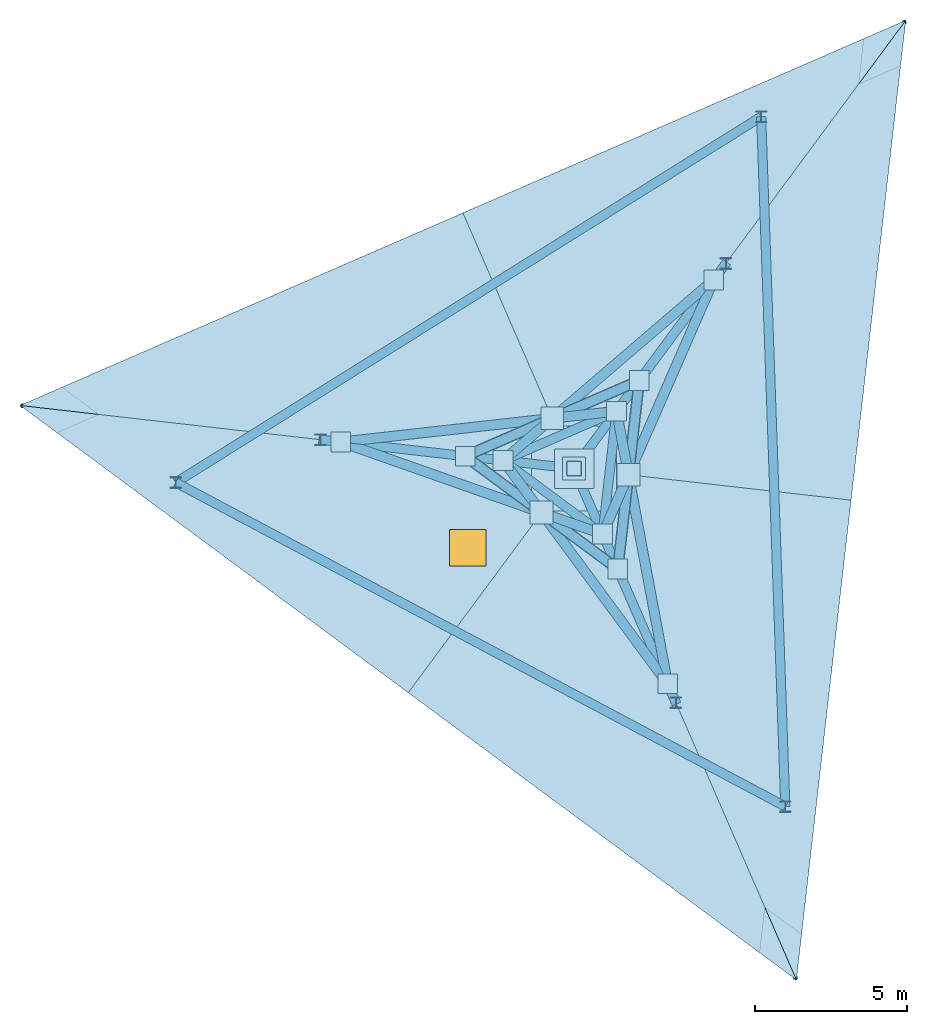
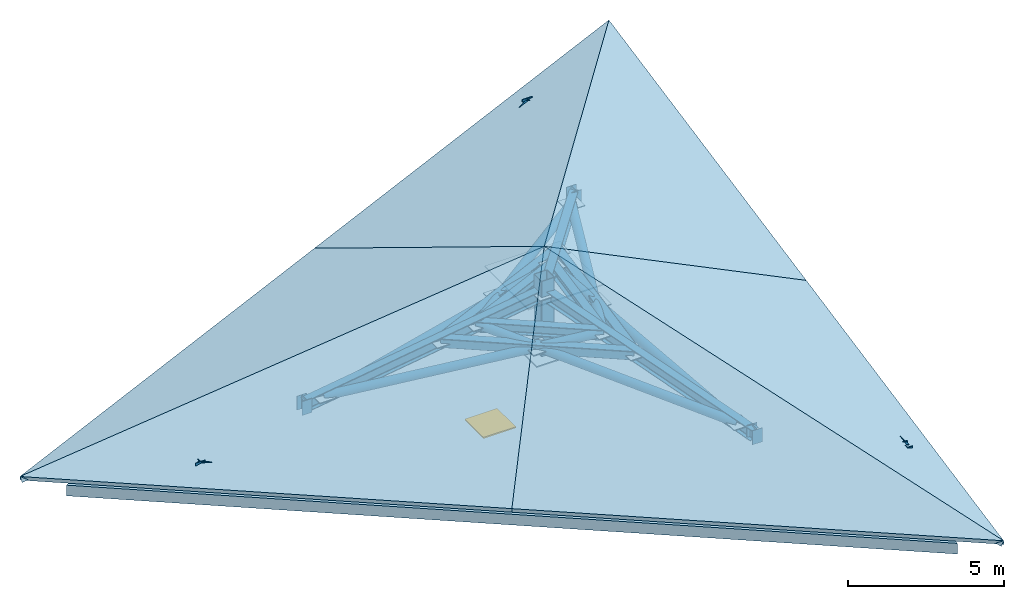
# One storey: 15 members, 15 plates, 9 beams, 7 columns, 6 roofs, 1 slab, 1 window, 1 opening.
"""IFC4 building model written with IfcOpenShell, lengths in metres."""

from ifc_helpers import new_model, si_unit, direction, frame, origin, origin_with_axes, origin_2d, place, context, subcontext, project, spatial, polyline, rectangle, hollow_rectangle, hollow_circle, i_section, outline, extrude, material, layer, layer_set, material_profile, profile_set, type_object, element, fill, save


model = new_model("IFC4")

# Units and contexts
model_context = context("Model", 3, precision=1e-05, world=origin(), true_north=direction((0.0, 1.0)))
body_context = subcontext(model_context, "Body", "Model", "MODEL_VIEW")
ifc_project = project(units=[si_unit("LENGTHUNIT", "METRE"), si_unit("AREAUNIT", "SQUARE_METRE"), si_unit("VOLUMEUNIT", "CUBIC_METRE"), si_unit("PLANEANGLEUNIT", "RADIAN"), si_unit("MASSUNIT", "GRAM", prefix="KILO")], contexts=[model_context])

# Site, building, storey
site_placement = place(None, origin())
site = spatial("IfcSite", under=ifc_project, at=site_placement, CompositionType="ELEMENT")
building_placement = place(site_placement, origin())
building = spatial("IfcBuilding", under=site, at=building_placement, Name="Rocaltana Carrier Exchange", CompositionType="ELEMENT")
storey_placement = place(building_placement, frame((0.0, 0.0, 257.760009765625)))
storey = spatial("IfcBuildingStorey", under=building, at=storey_placement, Name="RF", CompositionType="ELEMENT", Elevation=257.760009765625)

# Columns
ifc_material_1 = material(Name="Steel S355", Category="steel")
ifc_material_profile_1 = material_profile(ifc_material_1, i_section(OverallWidth=0.37109375, OverallDepth=0.364013671875, WebThickness=0.01318359375, FlangeThickness=0.021728515625, FilletRadius=0.014892578125, at=origin_2d()), Name="W14X109")
ifc_profile_set_1 = profile_set([ifc_material_profile_1], Name="Steel S355")
column_type_1 = type_object("IfcColumnType", Name="Crown Column W14X109", PredefinedType="COLUMN", material=ifc_profile_set_1)
column_1_placement = place(storey_placement, frame((6.953125, -11.126708984375, 0.0), z_axis=(0.0, 0.0, 1.0), x_axis=(1.0, 0.0, 0.0)))
element("IfcColumn", 1, at=column_1_placement, inside=storey, type_object=column_type_1, Name="Crown Frame Perimeter Leg 1", PredefinedType="COLUMN", context=body_context, shape_type="SweptSolid", body=[
    extrude(i_section(OverallWidth=0.37109375, OverallDepth=0.364013671875, WebThickness=0.01318359375, FlangeThickness=0.021728515625, FilletRadius=0.014892578125, at=origin_2d()), origin(), (0.0, 0.0, 1.0), 0.64990234375),
])
column_2_placement = place(storey_placement, frame((3.349609375, -7.703369140625, 0.0), z_axis=(0.0, 0.0, 1.0), x_axis=(1.0, 0.0, 0.0)))
element("IfcColumn", 2, at=column_2_placement, inside=storey, type_object=column_type_1, Name="Crown Frame Inner Rafter Post 1", PredefinedType="COLUMN", context=body_context, shape_type="SweptSolid", body=[
    extrude(i_section(OverallWidth=0.37109375, OverallDepth=0.364013671875, WebThickness=0.01318359375, FlangeThickness=0.021728515625, FilletRadius=0.014892578125, at=origin_2d()), origin(), (0.0, 0.0, 1.0), 0.550048828125),
])
column_3_placement = place(storey_placement, frame((6.159423828125, 11.5849609375, 0.0), z_axis=(0.0, 0.0, 1.0), x_axis=(1.0, 0.0, 0.0)))
element("IfcColumn", 3, at=column_3_placement, inside=storey, type_object=column_type_1, Name="Crown Frame Perimeter Leg 2", PredefinedType="COLUMN", context=body_context, shape_type="SweptSolid", body=[
    extrude(i_section(OverallWidth=0.37109375, OverallDepth=0.364013671875, WebThickness=0.01318359375, FlangeThickness=0.021728515625, FilletRadius=0.014892578125, at=origin_2d()), origin(), (0.0, 0.0, 1.0), 0.64990234375),
])
column_4_placement = place(storey_placement, frame((4.99658203125, 6.75244140625, 0.0), z_axis=(0.0, 0.0, 1.0), x_axis=(1.0, 0.0, 0.0)))
element("IfcColumn", 4, at=column_4_placement, inside=storey, type_object=column_type_1, Name="Crown Frame Inner Rafter Post 2", PredefinedType="COLUMN", context=body_context, shape_type="SweptSolid", body=[
    extrude(i_section(OverallWidth=0.37109375, OverallDepth=0.364013671875, WebThickness=0.01318359375, FlangeThickness=0.021728515625, FilletRadius=0.014892578125, at=origin_2d()), origin(), (0.0, 0.0, 1.0), 0.550048828125),
])
column_5_placement = place(storey_placement, frame((-13.112548828125, -0.458251953125, 0.0), z_axis=(0.0, 0.0, 1.0), x_axis=(1.0, 0.0, 0.0)))
element("IfcColumn", 5, at=column_5_placement, inside=storey, type_object=column_type_1, Name="Crown Frame Perimeter Leg 3", PredefinedType="COLUMN", context=body_context, shape_type="SweptSolid", body=[
    extrude(i_section(OverallWidth=0.37109375, OverallDepth=0.364013671875, WebThickness=0.01318359375, FlangeThickness=0.021728515625, FilletRadius=0.014892578125, at=origin_2d()), origin(), (0.0, 0.0, 1.0), 0.64990234375),
])
column_6_placement = place(storey_placement, frame((-8.345947265625, 0.950927734375, 0.0), z_axis=(0.0, 0.0, 1.0), x_axis=(1.0, 0.0, 0.0)))
element("IfcColumn", 6, at=column_6_placement, inside=storey, type_object=column_type_1, Name="Crown Frame Inner Rafter Post 3", PredefinedType="COLUMN", context=body_context, shape_type="SweptSolid", body=[
    extrude(i_section(OverallWidth=0.37109375, OverallDepth=0.364013671875, WebThickness=0.01318359375, FlangeThickness=0.021728515625, FilletRadius=0.014892578125, at=origin_2d()), origin(), (0.0, 0.0, 1.0), 0.550048828125),
])
ifc_material_2 = material(Name="Steel S460", Category="steel")
ifc_material_profile_2 = material_profile(ifc_material_2, hollow_rectangle(XDim=0.5, YDim=0.5, WallThickness=0.02001953125, InnerFilletRadius=0.02001953125, OuterFilletRadius=0.0400390625, at=origin_2d()), Name="HSS500X500X20")
ifc_profile_set_2 = profile_set([ifc_material_profile_2], Name="Steel S460")
column_type_2 = type_object("IfcColumnType", Name="Crown Spire King-Post Column HSS500", PredefinedType="COLUMN", material=ifc_profile_set_2)
column_7_placement = place(storey_placement, origin_with_axes())
element("IfcColumn", 7, at=column_7_placement, inside=storey, type_object=column_type_2, Name="Crown Spire King-Post Column SL-1", PredefinedType="COLUMN", context=body_context, shape_type="SweptSolid", body=[
    extrude(hollow_rectangle(XDim=0.5, YDim=0.5, WallThickness=0.02001953125, InnerFilletRadius=0.02001953125, OuterFilletRadius=0.0400390625, at=origin_2d()), origin(), (0.0, 0.0, 1.0), 2.969970703125),
])

# Members
ifc_material_3 = material(Name="Steel S460", Category="steel")
ifc_material_profile_3 = material_profile(ifc_material_3, hollow_circle(Radius=0.161865234375, WallThickness=0.012451171875, at=origin_2d()), Name="CHS323.9X12.5")
ifc_profile_set_3 = profile_set([ifc_material_profile_3], Name="Steel S460")
member_type_1 = type_object("IfcMemberType", Name="Crown Frame Brace CHS324", PredefinedType="BRACE", material=ifc_profile_set_3)
member_1_placement = place(storey_placement, frame((3.08154296875, -7.0869140625, 0.41552734375), z_axis=(-0.182296754056, 0.972710836529, 0.143532302843), x_axis=(-0.982888020245, -0.184204070689, 0.0)))
element("IfcMember", 8, at=member_1_placement, inside=storey, type_object=member_type_1, Name="Crown Frame Lower Diagonal Wind Brace 1A", PredefinedType="BRACE", context=body_context, shape_type="SweptSolid", body=[
    extrude(hollow_circle(Radius=0.161865234375, WallThickness=0.012451171875, at=origin_2d()), origin(), (0.0, 0.0, 1.0), 7.0537109375),
])
member_2_placement = place(storey_placement, frame((1.78759765625, -0.182861328125, 1.4345703125), z_axis=(-0.182332620708, 0.972707881703, 0.143506767429), x_axis=(-0.982881356648, -0.184239623194, 0.0)))
element("IfcMember", 9, at=member_2_placement, inside=storey, type_object=member_type_1, Name="Crown Frame Upper Diagonal Wind Brace 1A", PredefinedType="BRACE", context=body_context, shape_type="SweptSolid", body=[
    extrude(hollow_circle(Radius=0.161865234375, WallThickness=0.012451171875, at=origin_2d()), origin(), (0.0, 0.0, 1.0), 2.131591796875),
])
member_3_placement = place(storey_placement, frame((4.5966796875, 6.212158203125, 0.41552734375), z_axis=(-0.396421961842, -0.906779762552, 0.143527315851), x_axis=(0.916266459439, -0.400569313985, 0.0)))
element("IfcMember", 10, at=member_3_placement, inside=storey, type_object=member_type_1, Name="Crown Frame Lower Diagonal Wind Brace 1B", PredefinedType="BRACE", context=body_context, shape_type="SweptSolid", body=[
    extrude(hollow_circle(Radius=0.161865234375, WallThickness=0.012451171875, at=origin_2d()), origin(), (0.0, 0.0, 1.0), 7.053955078125),
])
member_4_placement = place(storey_placement, frame((1.782958984375, -0.22412109375, 1.4345703125), z_axis=(-0.39641126882, -0.906786482302, 0.143514394635), x_axis=(0.91627151456, -0.40055775065, 0.0)))
element("IfcMember", 11, at=member_4_placement, inside=storey, type_object=member_type_1, Name="Crown Frame Upper Diagonal Wind Brace 1B", PredefinedType="BRACE", context=body_context, shape_type="SweptSolid", body=[
    extrude(hollow_circle(Radius=0.161865234375, WallThickness=0.012451171875, at=origin_2d()), origin(), (0.0, 0.0, 1.0), 2.131591796875),
])
member_5_placement = place(storey_placement, frame((4.5966796875, 6.212158203125, 0.41552734375), z_axis=(-0.751245687122, -0.644226490412, 0.143534478899), x_axis=(0.650967047867, -0.759105989037, 0.0)))
element("IfcMember", 12, at=member_5_placement, inside=storey, type_object=member_type_1, Name="Crown Frame Lower Diagonal Wind Brace 2A", PredefinedType="BRACE", context=body_context, shape_type="SweptSolid", body=[
    extrude(hollow_circle(Radius=0.161865234375, WallThickness=0.012451171875, at=origin_2d()), origin(), (0.0, 0.0, 1.0), 7.0537109375),
])
member_6_placement = place(storey_placement, frame((-0.735595703125, 1.639404296875, 1.4345703125), z_axis=(-0.751282963137, -0.644185910151, 0.143521505231), x_axis=(0.650924805441, -0.759142211751, 0.0)))
element("IfcMember", 13, at=member_6_placement, inside=storey, type_object=member_type_1, Name="Crown Frame Upper Diagonal Wind Brace 2A", PredefinedType="BRACE", context=body_context, shape_type="SweptSolid", body=[
    extrude(hollow_circle(Radius=0.161865234375, WallThickness=0.012451171875, at=origin_2d()), origin(), (0.0, 0.0, 1.0), 2.13134765625),
])
member_7_placement = place(storey_placement, frame((-7.67822265625, 0.874755859375, 0.41552734375), z_axis=(0.983503738262, 0.110093443763, 0.143526410338), x_axis=(-0.111245222604, 0.993792986717, 0.0)))
element("IfcMember", 14, at=member_7_placement, inside=storey, type_object=member_type_1, Name="Crown Frame Lower Diagonal Wind Brace 2B", PredefinedType="BRACE", context=body_context, shape_type="SweptSolid", body=[
    extrude(hollow_circle(Radius=0.161865234375, WallThickness=0.012451171875, at=origin_2d()), origin(), (0.0, 0.0, 1.0), 7.05419921875),
])
member_8_placement = place(storey_placement, frame((-0.697509765625, 1.656005859375, 1.4345703125), z_axis=(0.983508734004, 0.110067764455, 0.143511871865), x_axis=(-0.111219037699, 0.993795917507, 0.0)))
element("IfcMember", 15, at=member_8_placement, inside=storey, type_object=member_type_1, Name="Crown Frame Upper Diagonal Wind Brace 2B", PredefinedType="BRACE", context=body_context, shape_type="SweptSolid", body=[
    extrude(hollow_circle(Radius=0.161865234375, WallThickness=0.012451171875, at=origin_2d()), origin(), (0.0, 0.0, 1.0), 2.131591796875),
])
member_9_placement = place(storey_placement, frame((-7.67822265625, 0.874755859375, 0.41552734375), z_axis=(0.933540107079, -0.328485120539, 0.143528373709), x_axis=(0.331921771376, 0.943306915954, 0.0)))
element("IfcMember", 16, at=member_9_placement, inside=storey, type_object=member_type_1, Name="Crown Frame Lower Diagonal Wind Brace 3A", PredefinedType="BRACE", context=body_context, shape_type="SweptSolid", body=[
    extrude(hollow_circle(Radius=0.161865234375, WallThickness=0.012451171875, at=origin_2d()), origin(), (0.0, 0.0, 1.0), 7.053955078125),
])
member_10_placement = place(storey_placement, frame((-1.052001953125, -1.456787109375, 1.4345703125), z_axis=(0.933546322974, -0.328476365389, 0.143507979719), x_axis=(0.331911932721, 0.943310377828, 0.0)))
element("IfcMember", 17, at=member_10_placement, inside=storey, type_object=member_type_1, Name="Crown Frame Upper Diagonal Wind Brace 3A", PredefinedType="BRACE", context=body_context, shape_type="SweptSolid", body=[
    extrude(hollow_circle(Radius=0.161865234375, WallThickness=0.012451171875, at=origin_2d()), origin(), (0.0, 0.0, 1.0), 2.131591796875),
])
member_11_placement = place(storey_placement, frame((3.08154296875, -7.0869140625, 0.41552734375), z_axis=(-0.58709374312, 0.796693442956, 0.143528724442), x_axis=(-0.805028586951, -0.59323601896, 0.0)))
element("IfcMember", 18, at=member_11_placement, inside=storey, type_object=member_type_1, Name="Crown Frame Lower Diagonal Wind Brace 3B", PredefinedType="BRACE", context=body_context, shape_type="SweptSolid", body=[
    extrude(hollow_circle(Radius=0.161865234375, WallThickness=0.012451171875, at=origin_2d()), origin(), (0.0, 0.0, 1.0), 7.053955078125),
])
member_12_placement = place(storey_placement, frame((-1.08544921875, -1.431884765625, 1.4345703125), z_axis=(-0.587097802418, 0.796693779481, 0.143510250962), x_axis=(-0.805026747735, -0.593238514791, 0.0)))
element("IfcMember", 19, at=member_12_placement, inside=storey, type_object=member_type_1, Name="Crown Frame Upper Diagonal Wind Brace 3B", PredefinedType="BRACE", context=body_context, shape_type="SweptSolid", body=[
    extrude(hollow_circle(Radius=0.161865234375, WallThickness=0.012451171875, at=origin_2d()), origin(), (0.0, 0.0, 1.0), 2.131591796875),
])

# Beams
ifc_material_4 = material(Name="Steel S460", Category="steel")
ifc_material_profile_4 = material_profile(ifc_material_4, i_section(OverallWidth=0.300048828125, OverallDepth=0.449951171875, WebThickness=0.013916015625, FlangeThickness=0.02587890625, FilletRadius=0.027099609375, at=origin_2d()), Name="HEB450")
ifc_profile_set_4 = profile_set([ifc_material_profile_4], Name="Steel S460")
beam_type_1 = type_object("IfcBeamType", Name="Crown Frame Rafter HEB450", PredefinedType="BEAM", material=ifc_profile_set_4)
for number, where, z_axis, x_axis, name in (
    (20, (3.349609375, -7.703369140625, 0.25), (-0.387174792711, 0.890417364023, 0.239275150685), (-0.917056193699, -0.398757993774, 0.0), "Crown Frame Sloped Hip Rafter 1"),
    (21, (4.99658203125, 6.75244140625, 0.25), (-0.577546999236, -0.780504001996, 0.239275921358), (0.803854684514, -0.594825727575, 0.0), "Crown Frame Sloped Hip Rafter 2"),
    (22, (-8.345947265625, 0.950927734375, 0.25), (0.96470898203, -0.109917843645, 0.239279434215), (0.113206405194, 0.993571492054, 0.0), "Crown Frame Sloped Hip Rafter 3"),
):
    element("IfcBeam", number, at=place(storey_placement, frame(where, z_axis=z_axis, x_axis=x_axis)), inside=storey, type_object=beam_type_1, Name=name, PredefinedType="BEAM", context=body_context, shape_type="SweptSolid", body=[
        extrude(i_section(OverallWidth=0.300048828125, OverallDepth=0.449951171875, WebThickness=0.013916015625, FlangeThickness=0.02587890625, FilletRadius=0.027099609375, at=origin_2d()), origin(), (0.0, 0.0, 1.0), 8.6513671875),
    ])

# Members
ifc_material_5 = material(Name="Steel S460", Category="steel")
ifc_material_profile_5 = material_profile(ifc_material_5, hollow_rectangle(XDim=0.35009765625, YDim=0.35009765625, WallThickness=0.01611328125, InnerFilletRadius=0.01611328125, OuterFilletRadius=0.031982421875, at=origin_2d()), Name="HSS350X350X16")
ifc_profile_set_5 = profile_set([ifc_material_profile_5], Name="Steel S460")
member_type_2 = type_object("IfcMemberType", Name="Crown Frame Rib HSS350", PredefinedType="CHORD", material=ifc_profile_set_5)
for number, where, z_axis, x_axis, name in (
    (23, (1.43798828125, -3.307373046875, 1.431396484375), (0.113228019252, 0.993569029135, 0.0), (-0.993569029135, 0.113228019252, 0.0), "Crown Frame Mid Ring Rib 1"),
    (24, (2.145263671875, 2.89892578125, 1.431396484375), (-0.917066328012, -0.398734686259, 0.0), (0.398734686259, -0.917066328012, 0.0), "Crown Frame Mid Ring Rib 2"),
    (25, (-3.583251953125, 0.408203125, 1.431396484375), (0.803852738502, -0.59482835743, 0.0), (0.59482835743, 0.803852738502, 0.0), "Crown Frame Mid Ring Rib 3"),
):
    element("IfcMember", number, at=place(storey_placement, frame(where, z_axis=z_axis, x_axis=x_axis)), inside=storey, type_object=member_type_2, Name=name, PredefinedType="CHORD", context=body_context, shape_type="SweptSolid", body=[
        extrude(hollow_rectangle(XDim=0.35009765625, YDim=0.35009765625, WallThickness=0.01611328125, InnerFilletRadius=0.01611328125, OuterFilletRadius=0.031982421875, at=origin_2d()), origin(), (0.0, 0.0, 1.0), 6.24658203125),
    ])

# Beams
ifc_material_6 = material(Name="Steel S460", Category="steel")
ifc_material_profile_6 = material_profile(ifc_material_6, i_section(OverallWidth=0.300048828125, OverallDepth=0.39990234375, WebThickness=0.013427734375, FlangeThickness=0.02392578125, FilletRadius=0.027099609375, at=origin_2d()), Name="HEB400")
ifc_profile_set_6 = profile_set([ifc_material_profile_6], Name="Steel S460")
beam_type_2 = type_object("IfcBeamType", Name="Crown Ring Beam HEB400", PredefinedType="BEAM", material=ifc_profile_set_6)
beam_1_placement = place(storey_placement, frame((6.953125, -11.126708984375, 0.419921875), z_axis=(-0.034925522943, 0.999389917823, 0.0), x_axis=(-0.999389917823, -0.034925522943, 0.0)))
element("IfcBeam", 26, at=beam_1_placement, inside=storey, type_object=beam_type_2, Name="Crown Frame Base Ring Beam 1", PredefinedType="BEAM", context=body_context, shape_type="SweptSolid", body=[
    extrude(i_section(OverallWidth=0.300048828125, OverallDepth=0.39990234375, WebThickness=0.013427734375, FlangeThickness=0.02392578125, FilletRadius=0.027099609375, at=origin_2d()), origin(), (0.0, 0.0, 1.0), 22.7255859375),
])
beam_2_placement = place(storey_placement, frame((0.93798828125, -2.156982421875, 1.700439453125), z_axis=(0.113147693083, 0.993578179888, 0.0), x_axis=(-0.993578179888, 0.113147693083, 0.0)))
element("IfcBeam", 27, at=beam_2_placement, inside=storey, type_object=beam_type_2, Name="Crown Frame Top Cap Ring Beam 1", PredefinedType="BEAM", context=body_context, shape_type="SweptSolid", body=[
    extrude(i_section(OverallWidth=0.300048828125, OverallDepth=0.39990234375, WebThickness=0.013427734375, FlangeThickness=0.02392578125, FilletRadius=0.027099609375, at=origin_2d()), origin(), (0.0, 0.0, 1.0), 4.07373046875),
])
beam_3_placement = place(storey_placement, frame((6.159423828125, 11.5849609375, 0.419921875), z_axis=(-0.848033307534, -0.529942930241, 0.0), x_axis=(0.529942930241, -0.848033307534, 0.0)))
element("IfcBeam", 28, at=beam_3_placement, inside=storey, type_object=beam_type_2, Name="Crown Frame Base Ring Beam 2", PredefinedType="BEAM", context=body_context, shape_type="SweptSolid", body=[
    extrude(i_section(OverallWidth=0.300048828125, OverallDepth=0.39990234375, WebThickness=0.013427734375, FlangeThickness=0.02392578125, FilletRadius=0.027099609375, at=origin_2d()), origin(), (0.0, 0.0, 1.0), 22.7255859375),
])
beam_4_placement = place(storey_placement, frame((1.39892578125, 1.890625, 1.700439453125), z_axis=(-0.917071009056, -0.398723919961, 0.0), x_axis=(0.398723919961, -0.917071009056, 0.0)))
element("IfcBeam", 29, at=beam_4_placement, inside=storey, type_object=beam_type_2, Name="Crown Frame Top Cap Ring Beam 2", PredefinedType="BEAM", context=body_context, shape_type="SweptSolid", body=[
    extrude(i_section(OverallWidth=0.300048828125, OverallDepth=0.39990234375, WebThickness=0.013427734375, FlangeThickness=0.02392578125, FilletRadius=0.027099609375, at=origin_2d()), origin(), (0.0, 0.0, 1.0), 4.07373046875),
])
beam_5_placement = place(storey_placement, frame((-13.112548828125, -0.458251953125, 0.419921875), z_axis=(0.882959466915, -0.469449230253, 0.0), x_axis=(0.469449230253, 0.882959466915, 0.0)))
element("IfcBeam", 30, at=beam_5_placement, inside=storey, type_object=beam_type_2, Name="Crown Frame Base Ring Beam 3", PredefinedType="BEAM", context=body_context, shape_type="SweptSolid", body=[
    extrude(i_section(OverallWidth=0.300048828125, OverallDepth=0.39990234375, WebThickness=0.013427734375, FlangeThickness=0.02392578125, FilletRadius=0.027099609375, at=origin_2d()), origin(), (0.0, 0.0, 1.0), 22.7255859375),
])
beam_6_placement = place(storey_placement, frame((-2.3369140625, 0.266357421875, 1.700439453125), z_axis=(0.803852214656, -0.594829065356, 0.0), x_axis=(0.594829065356, 0.803852214656, 0.0)))
element("IfcBeam", 31, at=beam_6_placement, inside=storey, type_object=beam_type_2, Name="Crown Frame Top Cap Ring Beam 3", PredefinedType="BEAM", context=body_context, shape_type="SweptSolid", body=[
    extrude(i_section(OverallWidth=0.300048828125, OverallDepth=0.39990234375, WebThickness=0.013427734375, FlangeThickness=0.02392578125, FilletRadius=0.027099609375, at=origin_2d()), origin(), (0.0, 0.0, 1.0), 4.073974609375),
])

# Plates
ifc_material_7 = material(Name="Steel S460", Category="steel")
ifc_layer_1 = layer(ifc_material_7, 0.031982421875)
ifc_layer_set_1 = layer_set([ifc_layer_1], Name="Steel S460")
plate_type_1 = type_object("IfcPlateType", Name="Belt Truss Node End-Cap Plate 650x650x32", PredefinedType="USERDEFINED", material=ifc_layer_set_1)
for number, where, z_axis, x_axis, name in (
    (32, (1.43798828125, -3.307373046875, 1.41552734375), (0.0, 0.0, 1.0), (1.0, 0.0, 0.0), "Crown Frame Mid Ring Rib 1 node plate C0"),
    (33, (2.145263671875, 2.89892578125, 1.41552734375), (0.0, 0.0, 1.0), (1.0, 0.0, 0.0), "Crown Frame Mid Ring Rib 1 node plate C1"),
    (34, (3.08154296875, -7.0869140625, 0.3994140625), (0.0, 0.0, 1.0), (1.0, 0.0, 0.0), "Crown Frame Lower Diagonal Wind Brace 1A node plate C0"),
    (35, (1.39892578125, 1.890625, 1.724609375), (0.0, 0.0, 1.0), (1.0, 0.0, 0.0), "Crown Frame Upper Diagonal Wind Brace 1A node plate C1"),
    (36, (4.5966796875, 6.212158203125, 0.3994140625), (0.0, 0.0, 1.0), (1.0, 0.0, 0.0), "Crown Frame Lower Diagonal Wind Brace 1B node plate C0"),
    (37, (0.93798828125, -2.156982421875, 1.724609375), (0.0, 0.0, 1.0), (1.0, 0.0, 0.0), "Crown Frame Upper Diagonal Wind Brace 1B node plate C1"),
    (38, (-3.583251953125, 0.408203125, 1.41552734375), (0.0, 0.0, 1.0), (1.0, 0.0, 0.0), "Crown Frame Mid Ring Rib 2 node plate C1"),
    (39, (-2.3369140625, 0.266357421875, 1.724609375), (0.0, 0.0, 1.0), (1.0, 0.0, 0.0), "Crown Frame Upper Diagonal Wind Brace 2A node plate C1"),
    (40, (-7.67822265625, 0.874755859375, 0.3994140625), (0.0, 0.0, 1.0), (1.0, 0.0, 0.0), "Crown Frame Lower Diagonal Wind Brace 2B node plate C0"),
):
    element("IfcPlate", number, at=place(storey_placement, frame(where, z_axis=z_axis, x_axis=x_axis)), inside=storey, type_object=plate_type_1, Name=name, ObjectType="GUSSET PLATE", PredefinedType="USERDEFINED", context=body_context, shape_type="SweptSolid", body=[
        extrude(rectangle(XDim=0.64990234375, YDim=0.64990234375, at=origin_2d()), origin(), (0.0, 0.0, 1.0), 0.031982421875),
    ])
ifc_material_8 = material(Name="Steel S460", Category="steel")
ifc_layer_2 = layer(ifc_material_8, 0.050048828125)
ifc_layer_set_2 = layer_set([ifc_layer_2], Name="Steel S460")
plate_type_2 = type_object("IfcPlateType", Name="Column Splice Cap Plate 1300x1300x50", PredefinedType="SHEET", material=ifc_layer_set_2)
plate_1_placement = place(storey_placement, frame((0.0, 0.0, -0.02490234375), z_axis=(0.0, 0.0, 1.0), x_axis=(1.0, 0.0, 0.0)))
element("IfcPlate", 41, at=plate_1_placement, inside=storey, type_object=plate_type_2, Name="Crown Spire Base Plate PL-SP1", PredefinedType="SHEET", context=body_context, shape_type="SweptSolid", body=[
    extrude(rectangle(XDim=1.300048828125, YDim=1.300048828125, at=origin_2d()), origin(), (0.0, 0.0, 1.0), 0.050048828125),
])
ifc_material_9 = material(Name="Steel S460", Category="steel")
ifc_layer_3 = layer(ifc_material_9, 0.050048828125)
ifc_layer_set_3 = layer_set([ifc_layer_3], Name="Steel S460")
plate_type_3 = type_object("IfcPlateType", Name="Crown Frame Apex Cap Plate 2800x2800x50", PredefinedType="SHEET", material=ifc_layer_set_3)
plate_2_placement = place(storey_placement, frame((0.0, 0.0, 2.94482421875), z_axis=(0.0, 0.0, 1.0), x_axis=(1.0, 0.0, 0.0)))
element("IfcPlate", 42, at=plate_2_placement, inside=storey, type_object=plate_type_3, Name="Crown Frame Apex Cap Plate PL-APX1", PredefinedType="SHEET", context=body_context, shape_type="SweptSolid", body=[
    extrude(rectangle(XDim=2.800048828125, YDim=2.800048828125, at=origin_2d()), origin(), (0.0, 0.0, 1.0), 0.050048828125),
])

# Slab, opening, window
ifc_material_10 = material(Name="Concrete C60/75", Category="concrete")
ifc_layer_4 = layer(ifc_material_10, 0.419921875)
ifc_layer_set_4 = layer_set([ifc_layer_4], Name="Concrete C60/75")
slab_type = type_object("IfcSlabType", Name="Crown Transfer Roof Deck 420", PredefinedType="ROOF", material=ifc_layer_set_4)
slab_placement = place(storey_placement, frame((0.0, 0.0, -0.419921875)))
slab = element("IfcSlab", 43, at=slab_placement, inside=storey, type_object=slab_type, Name="Crown Main Roof Deck Slab", PredefinedType="ROOF", context=body_context, shape_type="SweptSolid", body=[
    extrude(outline(polyline([(6.114990234375, -15.944580078125), (6.284912109375, -14.454345703125), (7.49072265625, -15.3466796875), (10.7509765625, 13.268310546875), (9.37548828125, 12.670166015625), (9.545166015625, 14.160400390625), (-16.8662109375, 2.676513671875), (-15.660400390625, 1.7841796875), (-17.035888671875, 1.18603515625), (6.114990234375, -15.944580078125)])), origin(), (0.0, 0.0, 1.0), 0.419921875),
])
opening_placement = place(slab_placement, frame((-3.5, -2.60009765625, 0.0)))
opening = element("IfcOpeningElement", 44, at=opening_placement, cuts=slab, Name="Opening RH-01", PredefinedType="OPENING", context=body_context, shape_type="SweptSolid", body=[
    extrude(rectangle(XDim=1.199951171875, YDim=1.199951171875, at=origin_2d()), origin(), (0.0, 0.0, 1.0), 0.419921875),
])
ifc_material_11 = material(Name="Aluminium 6063-T6 & Double Glazing", Category="aluminium")
window_type = type_object("IfcWindowType", Name="Crown Maintenance Roof Hatch 1200x1200", PartitioningType="SINGLE_PANEL", PredefinedType="SKYLIGHT", material=ifc_material_11)
window_placement = place(opening_placement, frame((0.0, 0.0, 0.369873046875)))
window = element("IfcWindow", 45, at=window_placement, inside=storey, type_object=window_type, Name="Crown Maintenance Access Hatch RH-01", OverallHeight=1.199951171875, OverallWidth=1.199951171875, PartitioningType="SINGLE_PANEL", PredefinedType="SKYLIGHT", context=body_context, shape_type="SweptSolid", body=[
    extrude(rectangle(XDim=1.199951171875, YDim=1.199951171875, at=origin_2d()), origin(), (0.0, 0.0, 1.0), 0.050048828125),
])
fill(opening, window)

# Plates
ifc_material_12 = material(Name="Steel S460", Category="steel")
ifc_layer_5 = layer(ifc_material_12, 0.035888671875)
ifc_layer_set_5 = layer_set([ifc_layer_5], Name="Steel S460")
plate_type_4 = type_object("IfcPlateType", Name="Outrigger Node Gusset Plate 750x750x36", PredefinedType="USERDEFINED", material=ifc_layer_set_5)
for number, where, z_axis, x_axis, name in (
    (46, (0.0, 0.0, 2.30224609375), (0.0, 0.0, 1.0), (1.0, 0.0, 0.0), "Crown Frame Hip Apex Gusset Plate"),
    (47, (1.79150390625, -0.2041015625, 1.41357421875), (0.0, 0.0, 1.0), (1.0, 0.0, 0.0), "Crown Frame X-Brace Central Gusset Plate 1"),
    (48, (-0.718994140625, 1.65380859375, 1.41357421875), (0.0, 0.0, 1.0), (1.0, 0.0, 0.0), "Crown Frame X-Brace Central Gusset Plate 2"),
    (49, (-1.072509765625, -1.449462890625, 1.41357421875), (0.0, 0.0, 1.0), (1.0, 0.0, 0.0), "Crown Frame X-Brace Central Gusset Plate 3"),
):
    element("IfcPlate", number, at=place(storey_placement, frame(where, z_axis=z_axis, x_axis=x_axis)), inside=storey, type_object=plate_type_4, Name=name, ObjectType="GUSSET PLATE", PredefinedType="USERDEFINED", context=body_context, shape_type="SweptSolid", body=[
        extrude(rectangle(XDim=0.75, YDim=0.75, at=origin_2d()), origin(), (0.0, 0.0, 1.0), 0.035888671875),
    ])

# Roofs
ifc_material_13 = material(Name="Structural Laminated Glass & Aluminium 6063-T6", Category="aluminium")
ifc_layer_6 = layer(ifc_material_13, 0.219970703125)
ifc_layer_set_6 = layer_set([ifc_layer_6], Name="Structural Laminated Glass & Aluminium 6063-T6")
roof_type = type_object("IfcRoofType", Name="Faceted Glass-Point Crown Roof 220", PredefinedType="PAVILION_ROOF", material=ifc_layer_set_6)
roof_1_placement = place(storey_placement, frame((7.32080078125, -16.8369140625, 0.219970703125), z_axis=(0.388495717912, -0.044266909734, 0.920386613259), x_axis=(0.11321183259, 0.993570873648, 0.0)))
element("IfcRoof", 50, at=roof_1_placement, inside=storey, type_object=roof_type, Name="Crown Glass-Point Roof Facet 1", PredefinedType="PAVILION_ROOF", context=body_context, shape_type="SweptSolid", body=[
    extrude(outline(polyline([(0.0, 0.0), (15.8998294342837, 0.0), (15.899866142141732, 9.973930728630643), (0.0, 0.0)])), origin(), (0.0, 0.0, -1.0), 0.219970703125),
])
roof_2_placement = place(storey_placement, frame((9.120849609375, -1.039306640625, 0.219970703125), z_axis=(0.388495794865, -0.0442662344, 0.920386613258), x_axis=(0.113210105434, 0.993571070446, 0.0)))
element("IfcRoof", 51, at=roof_2_placement, inside=storey, type_object=roof_type, Name="Crown Glass-Point Roof Facet 2", PredefinedType="PAVILION_ROOF", context=body_context, shape_type="SweptSolid", body=[
    extrude(outline(polyline([(0.0, 0.0), (15.900072005321796, 0.0), (5.266552592788902e-05, 9.973930728559148), (0.0, 0.0)])), origin(), (0.0, 0.0, -1.0), 0.219970703125),
])
roof_3_placement = place(storey_placement, frame((10.9208984375, 14.758544921875, 0.219970703125), z_axis=(-0.155914714103, 0.358581628088, 0.920385689765), x_axis=(-0.917061023826, -0.398746885354, 0.0)))
element("IfcRoof", 52, at=roof_3_placement, inside=storey, type_object=roof_type, Name="Crown Glass-Point Roof Facet 3", PredefinedType="PAVILION_ROOF", context=body_context, shape_type="SweptSolid", body=[
    extrude(outline(polyline([(0.0, 0.0), (15.900031131288054, 0.0), (15.900054122141556, 9.973875279797136), (0.0, 0.0)])), origin(), (0.0, 0.0, -1.0), 0.219970703125),
])
roof_4_placement = place(storey_placement, frame((-3.660400390625, 8.41845703125, 0.219970703125), z_axis=(-0.155914714103, 0.358581628088, 0.920385689765), x_axis=(-0.917061023826, -0.398746885354, 0.0)))
element("IfcRoof", 53, at=roof_4_placement, inside=storey, type_object=roof_type, Name="Crown Glass-Point Roof Facet 4", PredefinedType="PAVILION_ROOF", context=body_context, shape_type="SweptSolid", body=[
    extrude(outline(polyline([(0.0, 0.0), (15.900031131288054, 0.0), (2.2990853501536328e-05, 9.973875279797136), (0.0, 0.0)])), origin(), (0.0, 0.0, -1.0), 0.219970703125),
])
roof_5_placement = place(storey_placement, frame((-18.24169921875, 2.078369140625, 0.219970703125), z_axis=(-0.232581328054, -0.314311099571, 0.920388210772), x_axis=(0.803852765275, -0.594828321248, 0.0)))
element("IfcRoof", 54, at=roof_5_placement, inside=storey, type_object=roof_type, Name="Crown Glass-Point Roof Facet 5", PredefinedType="PAVILION_ROOF", context=body_context, shape_type="SweptSolid", body=[
    extrude(outline(polyline([(0.0, 0.0), (15.899988843880944, 8.881784197001252e-16), (15.899913187164913, 9.974026649425634), (0.0, 0.0)])), origin(), (0.0, 0.0, -1.0), 0.219970703125),
])
roof_6_placement = place(storey_placement, frame((-5.46044921875, -7.37939453125, 0.219970703125), z_axis=(-0.232577448462, -0.314313970311, 0.920388210775), x_axis=(0.80386010723, -0.59481839918, 0.0)))
element("IfcRoof", 55, at=roof_6_placement, inside=storey, type_object=roof_type, Name="Crown Glass-Point Roof Facet 6", PredefinedType="PAVILION_ROOF", context=body_context, shape_type="SweptSolid", body=[
    extrude(outline(polyline([(0.0, 0.0), (15.899843623334013, 0.0), (3.765251195630981e-05, 9.974026649641504), (0.0, 0.0)])), origin(), (0.0, 0.0, -1.0), 0.219970703125),
])

save(model, "model.ifc")
